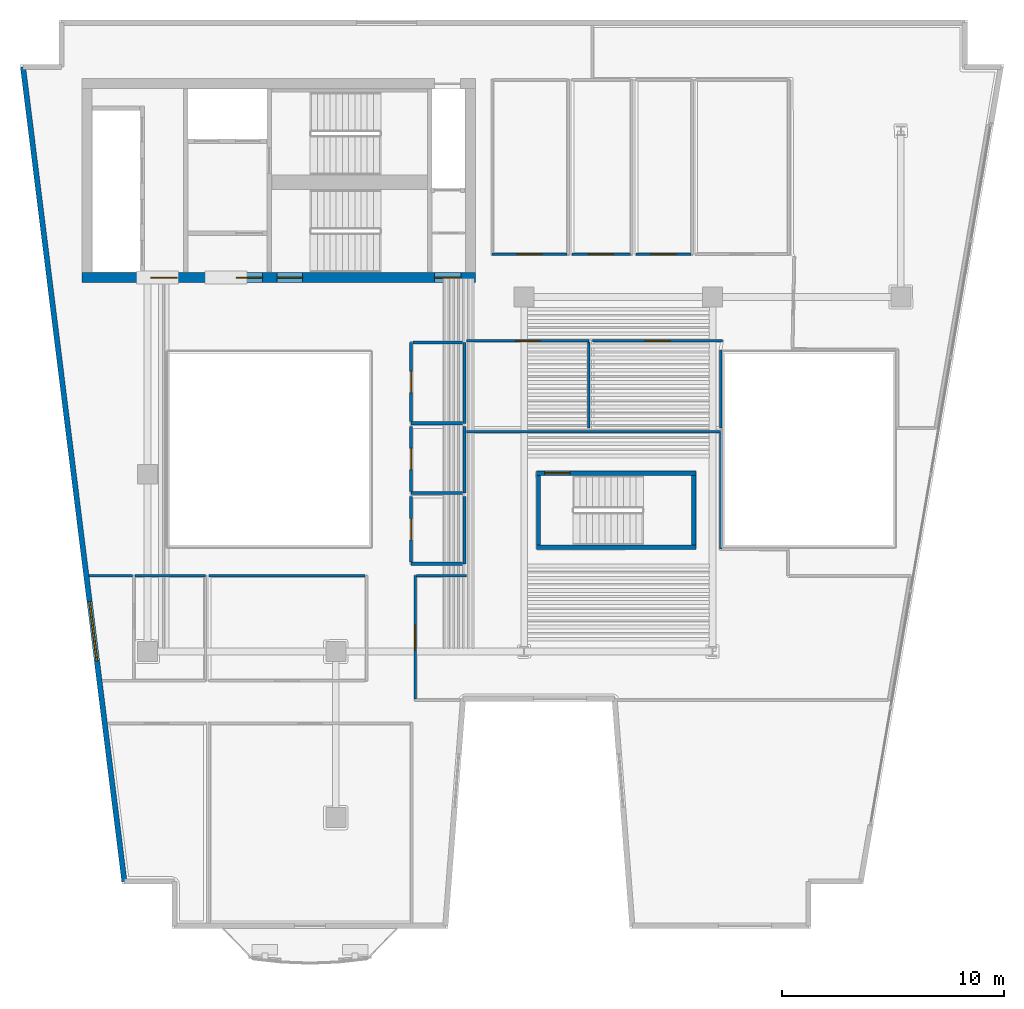
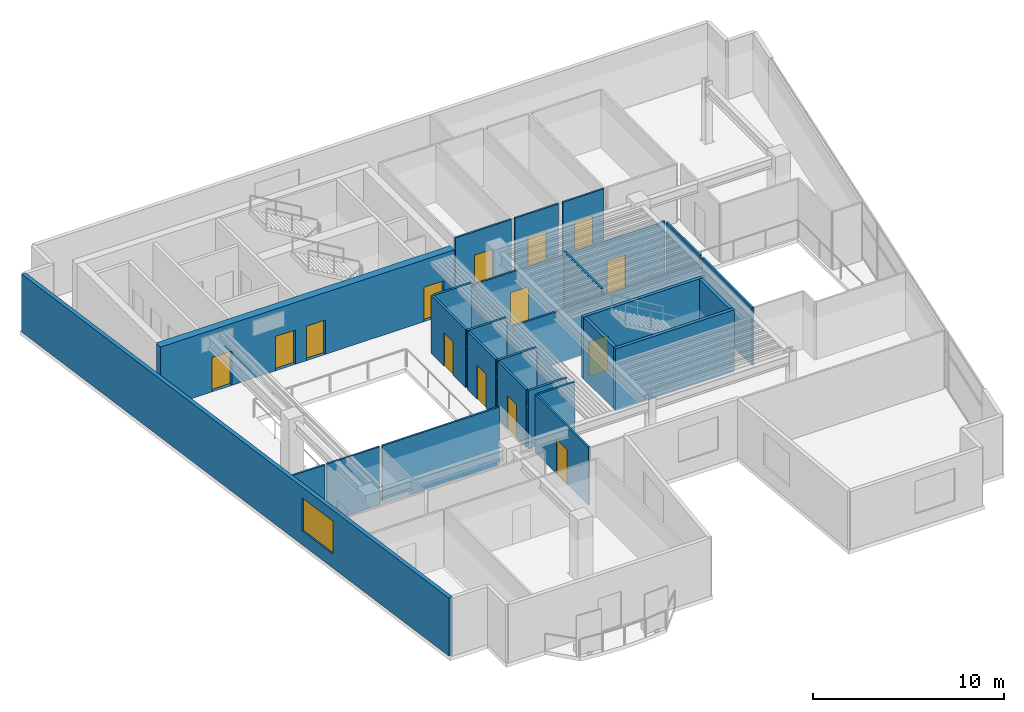
# One storey, part 4 of 9: 30 walls, 14 doors, 1 window, 15 openings.
"""IFC4 building model written with IfcOpenShell, lengths in metres."""

import ifcopenshell
import ifcopenshell.guid

model = None  # the IFC model being written
_history = None  # IfcOwnerHistory: only IFC2X3 demands one
_inside = {}  # id of a spatial element -> (the spatial element, [elements in it])
_under = {}  # id of a project, library or spatial element -> (it, [spatial elements below it])
_declared = {}  # id of a project -> (the project, [libraries it declares])
_typed = {}  # id of a type object -> (the type object, [elements of that type])
_made_of = {}  # id of a material, layer set ... -> (it, [elements and type objects made of it])


def new_model(schema):
    """Start an empty IFC model of exactly this schema.

    Asked for "IFC4X3", IfcOpenShell would pick the latest addendum, in which some entities
    have other attributes; the version numbers below select the first issue.
    IFC2X3 requires an IfcOwnerHistory on every rooted entity: one is made here for all.
    """
    global model, _history
    if schema == "IFC4X3":
        model = ifcopenshell.file(schema_version=(4, 3, 0, 0))
    else:
        model = ifcopenshell.file(schema=schema)
    _inside.clear()
    _under.clear()
    _declared.clear()
    _typed.clear()
    _made_of.clear()
    _history = None
    if model.schema == "IFC2X3":
        org = make("IfcOrganization", Name="unknown")
        user = make(
            "IfcPersonAndOrganization",
            ThePerson=make("IfcPerson", FamilyName="unknown"),
            TheOrganization=org,
        )
        app = make(
            "IfcApplication",
            ApplicationDeveloper=org,
            Version="unknown",
            ApplicationFullName="unknown",
            ApplicationIdentifier="unknown",
        )
        _history = make(
            "IfcOwnerHistory",
            OwningUser=user,
            OwningApplication=app,
            ChangeAction="ADDED",
            CreationDate=0,
        )
    return model


def make(cls, **values):
    """One entity of the class cls with the attributes given. An attribute that is None is left unset."""
    return model.create_entity(
        cls, **{name: value for name, value in values.items() if value is not None}
    )


def rooted(cls, **values):
    """An entity with a GlobalId (a new one), such as an element, a storey or a relation."""
    return make(cls, GlobalId=ifcopenshell.guid.new(), OwnerHistory=_history, **values)


def si_unit(unit_type, name, prefix=None):
    """IfcSIUnit, for example si_unit("LENGTHUNIT", "METRE", prefix="MILLI")."""
    return make("IfcSIUnit", UnitType=unit_type, Prefix=prefix, Name=name)


def assignment(units):
    """IfcUnitAssignment: the units of a project."""
    return None if units is None else make("IfcUnitAssignment", Units=units)


def point(xyz):
    """IfcCartesianPoint."""
    return None if xyz is None else make("IfcCartesianPoint", Coordinates=xyz)


def direction(xyz):
    """IfcDirection."""
    return None if xyz is None else make("IfcDirection", DirectionRatios=xyz)


def frame(location, z_axis=None, x_axis=None):
    """IfcAxis2Placement3D, a coordinate frame: its origin and axes. An axis left out is left unset."""
    return make(
        "IfcAxis2Placement3D",
        Location=point(location),
        Axis=direction(z_axis),
        RefDirection=direction(x_axis),
    )


def frame_2d(location, x_axis=None):
    """IfcAxis2Placement2D, a coordinate frame in the plane: its origin and x axis."""
    return make(
        "IfcAxis2Placement2D", Location=point(location), RefDirection=direction(x_axis)
    )


def origin():
    """The frame at (0, 0, 0) with its axes left unset."""
    return frame((0.0, 0.0, 0.0))


def place(relative_to, where):
    """IfcLocalPlacement: puts the frame where relative to a parent placement (None: the world)."""
    return make(
        "IfcLocalPlacement", PlacementRelTo=relative_to, RelativePlacement=where
    )


def context(
    kind, dimensions, precision=None, world=None, true_north=None, identifier=None
):
    """IfcGeometricRepresentationContext, for example the 3D "Model" context."""
    return make(
        "IfcGeometricRepresentationContext",
        ContextIdentifier=identifier,
        ContextType=kind,
        CoordinateSpaceDimension=dimensions,
        Precision=precision,
        WorldCoordinateSystem=world,
        TrueNorth=true_north,
    )


def subcontext(parent, identifier, kind, view, scale=None):
    """IfcGeometricRepresentationSubContext, for example "Body" below "Model"."""
    return make(
        "IfcGeometricRepresentationSubContext",
        ContextIdentifier=identifier,
        ContextType=kind,
        ParentContext=parent,
        TargetScale=scale,
        TargetView=view,
    )


def project(units=None, contexts=None):
    """IfcProject with its units and contexts."""
    return rooted(
        "IfcProject",
        Name="project",
        RepresentationContexts=contexts,
        UnitsInContext=assignment(units),
    )


def spatial(cls, under=None, at=None, **own):
    """A site, building, storey or space (cls), placed at a placement, below another one or the project."""
    s = rooted(cls, ObjectPlacement=at, **own)
    if under is not None:
        _under.setdefault(under.id(), (under, []))[1].append(s)
    return s


def profile(cls, at=None, kind="AREA", **sizes):
    """A parametric profile (cls). Its sizes go by their IFC names, for example OverallWidth=200.0."""
    return make(cls, ProfileType=kind, Position=at, **sizes)


def rectangle(**sizes):
    """IfcRectangleProfileDef."""
    return profile("IfcRectangleProfileDef", **sizes)


def extrude(swept, where, along, depth):
    """IfcExtrudedAreaSolid: the profile swept, set in the frame where, extruded along a direction by depth."""
    return make(
        "IfcExtrudedAreaSolid",
        SweptArea=swept,
        Position=where,
        ExtrudedDirection=direction(along),
        Depth=depth,
    )


def shape(context_of_items, identifier, shape_type, items):
    """IfcShapeRepresentation: the items that make up one representation, for example the "Body"."""
    return make(
        "IfcShapeRepresentation",
        ContextOfItems=context_of_items,
        RepresentationIdentifier=identifier,
        RepresentationType=shape_type,
        Items=items,
    )


def material(Name=None, Category=None):
    """IfcMaterial."""
    return make("IfcMaterial", Name=Name, Category=Category)


def layer(
    of_material, thickness, ventilated=None, Name=None, Category=None, Priority=None
):
    """IfcMaterialLayer: one layer of a wall or slab, of a material (None: an air gap)."""
    return make(
        "IfcMaterialLayer",
        Material=of_material,
        LayerThickness=thickness,
        IsVentilated=ventilated,
        Name=Name,
        Category=Category,
        Priority=Priority,
    )


def layer_set(layers, Name=None):
    """IfcMaterialLayerSet."""
    return make("IfcMaterialLayerSet", MaterialLayers=layers, LayerSetName=Name)


def made_of(thing, what):
    """Note that an element or type object is made of a material, layer set ...; save() writes the relation."""
    if what is not None:
        _made_of.setdefault(what.id(), (what, []))[1].append(thing)
    return thing


def type_object(cls, material=None, **own):
    """A type object (cls), such as IfcWallType, which elements share."""
    return made_of(rooted(cls, **own), material)


def element(
    cls,
    number,
    at=None,
    inside=None,
    cuts=None,
    type_object=None,
    material=None,
    context=None,
    identifier="Body",
    shape_type=None,
    held_by="IfcProductDefinitionShape",
    body=None,
    shapes=None,
    **own,
):
    """One element of the class cls, such as IfcWall. Its Tag is "e" and its number.

    at: its placement. inside: the storey or other place that contains it. cuts: it is an
    opening in that element (IfcRelVoidsElement). A single representation is given by context,
    identifier, shape_type and body (its items); several are given by shapes. held_by: the class
    of the entity that holds the representations. save() writes the other relations.
    """
    e = rooted(cls, Tag="e%d" % number, ObjectPlacement=at, **own)
    if body is not None:
        shapes = [shape(context, identifier, shape_type, body)]
    if shapes is not None:
        e.Representation = make(held_by, Representations=shapes)
    if inside is not None:
        _inside.setdefault(inside.id(), (inside, []))[1].append(e)
    if cuts is not None:
        rooted(
            "IfcRelVoidsElement", RelatingBuildingElement=cuts, RelatedOpeningElement=e
        )
    if type_object is not None:
        _typed.setdefault(type_object.id(), (type_object, []))[1].append(e)
    return made_of(e, material)


def fill(opening, filler):
    """IfcRelFillsElement: the door or window that sits in an opening."""
    return rooted(
        "IfcRelFillsElement",
        RelatingOpeningElement=opening,
        RelatedBuildingElement=filler,
    )


def aggregate(whole, parts):
    """IfcRelAggregates: a whole, such as a stair, and the parts it consists of."""
    return rooted("IfcRelAggregates", RelatingObject=whole, RelatedObjects=parts)


def save(model, path):
    """Write the relations noted so far, then the file.

    IfcRelAggregates (storeys below a building ...), IfcRelContainedInSpatialStructure (elements
    in a storey), IfcRelDefinesByType, IfcRelAssociatesMaterial and IfcRelDeclares: one each for
    every whole, place, type object, material and project.
    """
    for whole, parts in _under.values():
        aggregate(whole, parts)
    for where, things in _inside.values():
        rooted(
            "IfcRelContainedInSpatialStructure",
            RelatedElements=things,
            RelatingStructure=where,
        )
    for kind, things in _typed.values():
        rooted("IfcRelDefinesByType", RelatedObjects=things, RelatingType=kind)
    for what, things in _made_of.values():
        rooted("IfcRelAssociatesMaterial", RelatedObjects=things, RelatingMaterial=what)
    for by, libraries in _declared.values():
        rooted("IfcRelDeclares", RelatingContext=by, RelatedDefinitions=libraries)
    model.write(path)


model = new_model("IFC4")

# Units and contexts
model_context = context("Model", 3, precision=1e-05, world=origin(), true_north=direction((0.0, 1.0)))
body_context = subcontext(model_context, "Body", "Model", "MODEL_VIEW")
ifc_project = project(units=[si_unit("LENGTHUNIT", "METRE"), si_unit("AREAUNIT", "SQUARE_METRE"), si_unit("VOLUMEUNIT", "CUBIC_METRE"), si_unit("PLANEANGLEUNIT", "RADIAN"), si_unit("MASSUNIT", "GRAM", prefix="KILO")], contexts=[model_context])

# Site, building, storey
site_placement = place(None, origin())
site = spatial("IfcSite", under=ifc_project, at=site_placement, CompositionType="ELEMENT")
building_placement = place(site_placement, origin())
building = spatial("IfcBuilding", under=site, at=building_placement, Name="Caeloran Harvest Quay", CompositionType="ELEMENT")
storey_placement = place(building_placement, frame((0.0, 0.0, 211.39990234375)))
storey = spatial("IfcBuildingStorey", under=building, at=storey_placement, Name="L50", CompositionType="ELEMENT", Elevation=211.39990234375)

# Wall, opening, window
ifc_material_1 = material(Name="Precast concrete C50/60", Category="concrete")
ifc_layer_1 = layer(ifc_material_1, 0.239990234375, Name="Precast concrete C50/60")
ifc_layer_set_1 = layer_set([ifc_layer_1], Name="Precast concrete C50/60")
wall_type_1 = type_object("IfcWallType", Name="ENV-WALL-EW-240", PredefinedType="STANDARD", material=ifc_layer_set_1)
wall_1_placement = place(storey_placement, frame((7.460205078125, 4.6201171875, 0.0), z_axis=(0.0, 0.0, 1.0), x_axis=(-0.123515576323, 0.992342633573, 0.0)))
wall_1 = element("IfcWall", 1, at=wall_1_placement, inside=storey, type_object=wall_type_1, Name="L50 Exterior Precast Concrete Facade Wall 3", PredefinedType="STANDARD", context=body_context, shape_type="SweptSolid", body=[
    extrude(rectangle(XDim=37.04345703125, YDim=0.239990234375, at=frame_2d((18.521728515625, 0.0))), origin(), (0.0, 0.0, 1.0), 3.7001953125),
])
opening_1_placement = place(wall_1_placement, frame((10.0322265625, 0.0, 0.89990234375)))
opening_1 = element("IfcOpeningElement", 2, at=opening_1_placement, cuts=wall_1, Name="Opening W-07", PredefinedType="OPENING", context=body_context, shape_type="SweptSolid", body=[
    extrude(rectangle(XDim=2.699951171875, YDim=2.10009765625, at=frame_2d((1.35009765625, 1.050048828125))), frame((0.0, 0.1298828125, 0.0), z_axis=(0.0, -1.0, 0.0), x_axis=(1.0, 0.0, 0.0)), (0.0, 0.0, 1.0), 0.260009765625),
])
ifc_material_2 = material(Name="Aluminium-Framed Low-E Laminated Glass", Category="aluminium")
window_type = type_object("IfcWindowType", Name="WIN-W-07", PartitioningType="DOUBLE_PANEL_VERTICAL", PredefinedType="WINDOW", material=ifc_material_2)
window_placement = place(opening_1_placement, origin())
window = element("IfcWindow", 3, at=window_placement, inside=storey, type_object=window_type, Name="L50 Facade Punched Window W-07", OverallHeight=2.10009765625, OverallWidth=2.699951171875, PartitioningType="DOUBLE_PANEL_VERTICAL", PredefinedType="WINDOW", context=body_context, shape_type="SweptSolid", body=[
    extrude(rectangle(XDim=2.699951171875, YDim=2.10009765625, at=frame_2d((1.35009765625, 1.050048828125))), frame((0.0, 0.030029296875, 0.0), z_axis=(0.0, -1.0, 0.0), x_axis=(1.0, 0.0, 0.0)), (0.0, 0.0, 1.0), 0.06005859375),
])
fill(opening_1, window)

# Wall, opening, door
ifc_material_3 = material(Name="Single-Stud Acoustic Gypsum Office Partition", Category="gypsum")
ifc_layer_2 = layer(ifc_material_3, 0.112060546875, Name="Single-Stud Acoustic Gypsum Office Partition")
ifc_layer_set_2 = layer_set([ifc_layer_2], Name="Single-Stud Acoustic Gypsum Office Partition")
wall_type_2 = type_object("IfcWallType", Name="INT-WALL-PW-112", PredefinedType="PARTITIONING", material=ifc_layer_set_2)
wall_2_placement = place(storey_placement, frame((27.43896484375, 32.919921875, 0.0), z_axis=(0.0, 0.0, 1.0), x_axis=(-1.0, 0.0, 0.0)))
wall_2 = element("IfcWall", 4, at=wall_2_placement, inside=storey, type_object=wall_type_2, Name="L50 Bioinformatics Briefing Lounge Partition Wall", PredefinedType="PARTITIONING", context=body_context, shape_type="SweptSolid", body=[
    extrude(rectangle(XDim=3.388916015625, YDim=0.112060546875, at=frame_2d((1.6943359375, 0.0))), origin(), (0.0, 0.0, 1.0), 3.7001953125),
])
opening_2_placement = place(wall_2_placement, frame((1.14453125, 0.0, 0.0)))
opening_2 = element("IfcOpeningElement", 5, at=opening_2_placement, cuts=wall_2, Name="Opening ID-04", PredefinedType="OPENING", context=body_context, shape_type="SweptSolid", body=[
    extrude(rectangle(XDim=1.10009765625, YDim=2.199951171875, at=frame_2d((0.550048828125, 1.10009765625))), frame((0.0, 0.06591796875, 0.0), z_axis=(0.0, -1.0, 0.0), x_axis=(1.0, 0.0, 0.0)), (0.0, 0.0, 1.0), 0.132080078125),
])
ifc_material_4 = material(Name="Acoustic Walnut Veneer Executive Door", Category="wood")
door_type_1 = type_object("IfcDoorType", Name="INTDOOR-ID-04", OperationType="NOTDEFINED", PredefinedType="DOOR", material=ifc_material_4)
door_1_placement = place(opening_2_placement, origin())
door_1 = element("IfcDoor", 6, at=door_1_placement, inside=storey, type_object=door_type_1, Name="L50 Bioinformatics Briefing Lounge Access Door", OperationType="SINGLE_SWING_LEFT", OverallHeight=2.199951171875, OverallWidth=1.10009765625, PredefinedType="DOOR", context=body_context, shape_type="SweptSolid", body=[
    extrude(rectangle(XDim=1.10009765625, YDim=2.199951171875, at=frame_2d((0.550048828125, 1.10009765625))), frame((0.0, 0.02490234375, 0.0), z_axis=(0.0, -1.0, 0.0), x_axis=(1.0, 0.0, 0.0)), (0.0, 0.0, 1.0), 0.050048828125),
])
fill(opening_2, door_1)

wall_3_placement = place(storey_placement, frame((30.2890625, 32.919921875, 0.0), z_axis=(0.0, 0.0, 1.0), x_axis=(-1.0, 0.0, 0.0)))
wall_3 = element("IfcWall", 7, at=wall_3_placement, inside=storey, type_object=wall_type_2, Name="L50 Seed Imaging Laboratory Partition Wall", PredefinedType="PARTITIONING", context=body_context, shape_type="SweptSolid", body=[
    extrude(rectangle(XDim=2.629150390625, YDim=0.112060546875, at=frame_2d((1.314453125, 0.0))), origin(), (0.0, 0.0, 1.0), 3.7001953125),
])
opening_3_placement = place(wall_3_placement, frame((0.764404296875, 0.0, 0.0)))
opening_3 = element("IfcOpeningElement", 8, at=opening_3_placement, cuts=wall_3, Name="Opening ID-04", PredefinedType="OPENING", context=body_context, shape_type="SweptSolid", body=[
    extrude(rectangle(XDim=1.10009765625, YDim=2.199951171875, at=frame_2d((0.550048828125, 1.10009765625))), frame((0.0, 0.06591796875, 0.0), z_axis=(0.0, -1.0, 0.0), x_axis=(1.0, 0.0, 0.0)), (0.0, 0.0, 1.0), 0.132080078125),
])
door_2_placement = place(opening_3_placement, origin())
door_2 = element("IfcDoor", 9, at=door_2_placement, inside=storey, type_object=door_type_1, Name="L50 Seed Imaging Laboratory Access Door", OperationType="SINGLE_SWING_RIGHT", OverallHeight=2.199951171875, OverallWidth=1.10009765625, PredefinedType="DOOR", context=body_context, shape_type="SweptSolid", body=[
    extrude(rectangle(XDim=1.10009765625, YDim=2.199951171875, at=frame_2d((0.550048828125, 1.10009765625))), frame((0.0, 0.02490234375, 0.0), z_axis=(0.0, -1.0, 0.0), x_axis=(1.0, 0.0, 0.0)), (0.0, 0.0, 1.0), 0.050048828125),
])
fill(opening_3, door_2)

wall_4_placement = place(storey_placement, frame((33.029052734375, 32.919921875, 0.0), z_axis=(0.0, 0.0, 1.0), x_axis=(-1.0, 0.0, 0.0)))
wall_4 = element("IfcWall", 10, at=wall_4_placement, inside=storey, type_object=wall_type_2, Name="L50 Genomics Seminar West Room Partition Wall", PredefinedType="PARTITIONING", context=body_context, shape_type="SweptSolid", body=[
    extrude(rectangle(XDim=2.47900390625, YDim=0.112060546875, at=frame_2d((1.239501953125, 0.0))), origin(), (0.0, 0.0, 1.0), 3.7001953125),
])
opening_4_placement = place(wall_4_placement, frame((0.689453125, 0.0, 0.0)))
opening_4 = element("IfcOpeningElement", 11, at=opening_4_placement, cuts=wall_4, Name="Opening ID-04", PredefinedType="OPENING", context=body_context, shape_type="SweptSolid", body=[
    extrude(rectangle(XDim=1.10009765625, YDim=2.199951171875, at=frame_2d((0.550048828125, 1.10009765625))), frame((0.0, 0.06591796875, 0.0), z_axis=(0.0, -1.0, 0.0), x_axis=(1.0, 0.0, 0.0)), (0.0, 0.0, 1.0), 0.132080078125),
])
door_3_placement = place(opening_4_placement, origin())
door_3 = element("IfcDoor", 12, at=door_3_placement, inside=storey, type_object=door_type_1, Name="L50 Genomics Seminar West Room Access Door", OperationType="SINGLE_SWING_LEFT", OverallHeight=2.199951171875, OverallWidth=1.10009765625, PredefinedType="DOOR", context=body_context, shape_type="SweptSolid", body=[
    extrude(rectangle(XDim=1.10009765625, YDim=2.199951171875, at=frame_2d((0.550048828125, 1.10009765625))), frame((0.0, 0.02490234375, 0.0), z_axis=(0.0, -1.0, 0.0), x_axis=(1.0, 0.0, 0.0)), (0.0, 0.0, 1.0), 0.050048828125),
])
fill(opening_4, door_3)

# Walls
wall_5_placement = place(storey_placement, frame((5.868408203125, 18.419921875, 0.0), z_axis=(0.0, 0.0, 1.0), x_axis=(1.0, 0.0, 0.0)))
element("IfcWall", 13, at=wall_5_placement, inside=storey, type_object=wall_type_2, Name="Econometric Wet Laboratory Partition Wall", PredefinedType="PARTITIONING", context=body_context, shape_type="SweptSolid", body=[
    extrude(rectangle(XDim=1.95068359375, YDim=0.112060546875, at=frame_2d((0.975341796875, 0.0))), origin(), (0.0, 0.0, 1.0), 3.7001953125),
])
wall_6_placement = place(storey_placement, frame((7.94091796875, 18.419921875, 0.0), z_axis=(0.0, 0.0, 1.0), x_axis=(1.0, 0.0, 0.0)))
element("IfcWall", 14, at=wall_6_placement, inside=storey, type_object=wall_type_2, Name="Econometric Wet Laboratory Partition Wall", PredefinedType="PARTITIONING", context=body_context, shape_type="SweptSolid", body=[
    extrude(rectangle(XDim=3.17919921875, YDim=0.112060546875, at=frame_2d((1.589599609375, 0.0))), origin(), (0.0, 0.0, 1.0), 3.7001953125),
])
wall_7_placement = place(storey_placement, frame((11.280029296875, 18.419921875, 0.0), z_axis=(0.0, 0.0, 1.0), x_axis=(1.0, 0.0, 0.0)))
element("IfcWall", 15, at=wall_7_placement, inside=storey, type_object=wall_type_2, Name="Fellows Tasting Kitchen Partition Wall", PredefinedType="PARTITIONING", context=body_context, shape_type="SweptSolid", body=[
    extrude(rectangle(XDim=7.049072265625, YDim=0.112060546875, at=frame_2d((3.5244140625, 0.0))), origin(), (0.0, 0.0, 1.0), 3.7001953125),
])

# Wall, opening, door
wall_8_placement = place(storey_placement, frame((20.580078125, 12.861083984375, 0.0), z_axis=(0.0, 0.0, 1.0), x_axis=(0.0, 1.0, 0.0)))
wall_8 = element("IfcWall", 16, at=wall_8_placement, inside=storey, type_object=wall_type_2, Name="Roundtable Conference Room Partition Wall", PredefinedType="PARTITIONING", context=body_context, shape_type="SweptSolid", body=[
    extrude(rectangle(XDim=5.558837890625, YDim=0.112060546875, at=frame_2d((2.779296875, 0.0))), origin(), (0.0, 0.0, 1.0), 3.7001953125),
])
opening_5_placement = place(wall_8_placement, frame((2.2294921875, 0.0, 0.0)))
opening_5 = element("IfcOpeningElement", 17, at=opening_5_placement, cuts=wall_8, Name="Opening ID-04", PredefinedType="OPENING", context=body_context, shape_type="SweptSolid", body=[
    extrude(rectangle(XDim=1.10009765625, YDim=2.199951171875, at=frame_2d((0.550048828125, 1.10009765625))), frame((0.0, 0.06591796875, 0.0), z_axis=(0.0, -1.0, 0.0), x_axis=(1.0, 0.0, 0.0)), (0.0, 0.0, 1.0), 0.132080078125),
])
door_4_placement = place(opening_5_placement, origin())
door_4 = element("IfcDoor", 18, at=door_4_placement, inside=storey, type_object=door_type_1, Name="Roundtable Conference Room Access Door", OperationType="SINGLE_SWING_RIGHT", OverallHeight=2.199951171875, OverallWidth=1.10009765625, PredefinedType="DOOR", context=body_context, shape_type="SweptSolid", body=[
    extrude(rectangle(XDim=1.10009765625, YDim=2.199951171875, at=frame_2d((0.550048828125, 1.10009765625))), frame((0.0, 0.02490234375, 0.0), z_axis=(0.0, -1.0, 0.0), x_axis=(1.0, 0.0, 0.0)), (0.0, 0.0, 1.0), 0.050048828125),
])
fill(opening_5, door_4)

# Walls
wall_9_placement = place(storey_placement, frame((20.64111328125, 18.419921875, 0.0), z_axis=(0.0, 0.0, 1.0), x_axis=(1.0, 0.0, 0.0)))
element("IfcWall", 19, at=wall_9_placement, inside=storey, type_object=wall_type_2, Name="Roundtable Conference Room Partition Wall", PredefinedType="PARTITIONING", context=body_context, shape_type="SweptSolid", body=[
    extrude(rectangle(XDim=2.248779296875, YDim=0.112060546875, at=frame_2d((1.12451171875, 0.0))), origin(), (0.0, 0.0, 1.0), 3.7001953125),
])
wall_10_placement = place(storey_placement, frame((22.909912109375, 24.919921875, 0.0), z_axis=(0.0, 0.0, 1.0), x_axis=(1.0, 0.0, 0.0)))
element("IfcWall", 20, at=wall_10_placement, inside=storey, type_object=wall_type_2, Name="Roundtable Conference Room Partition Wall", PredefinedType="PARTITIONING", context=body_context, shape_type="SweptSolid", body=[
    extrude(rectangle(XDim=11.460205078125, YDim=0.112060546875, at=frame_2d((5.72998046875, 0.0))), origin(), (0.0, 0.0, 1.0), 3.3251953125),
])
wall_11_placement = place(storey_placement, frame((34.3701171875, 24.85888671875, 0.0), z_axis=(0.0, 0.0, 1.0), x_axis=(0.0, -1.0, 0.0)))
element("IfcWall", 21, at=wall_11_placement, inside=storey, type_object=wall_type_2, Name="Roundtable Conference Room Partition Wall", PredefinedType="PARTITIONING", context=body_context, shape_type="SweptSolid", body=[
    extrude(rectangle(XDim=5.23876953125, YDim=0.112060546875, at=frame_2d((2.619384765625, 0.0))), origin(), (0.0, 0.0, 1.0), 3.7001953125),
])

# Wall, opening, door
wall_12_placement = place(storey_placement, frame((22.909912109375, 29.02001953125, 0.0), z_axis=(0.0, 0.0, 1.0), x_axis=(1.0, 0.0, 0.0)))
wall_12 = element("IfcWall", 22, at=wall_12_placement, inside=storey, type_object=wall_type_2, Name="Harbour Tea Kitchen Partition Wall", PredefinedType="PARTITIONING", context=body_context, shape_type="SweptSolid", body=[
    extrude(rectangle(XDim=5.510009765625, YDim=0.112060546875, at=frame_2d((2.7548828125, 0.0))), origin(), (0.0, 0.0, 1.0), 3.485107421875),
])
opening_6_placement = place(wall_12_placement, frame((2.205078125, 0.0, 0.0)))
opening_6 = element("IfcOpeningElement", 23, at=opening_6_placement, cuts=wall_12, Name="Opening ID-04", PredefinedType="OPENING", context=body_context, shape_type="SweptSolid", body=[
    extrude(rectangle(XDim=1.10009765625, YDim=2.199951171875, at=frame_2d((0.550048828125, 1.10009765625))), frame((0.0, 0.06591796875, 0.0), z_axis=(0.0, -1.0, 0.0), x_axis=(1.0, 0.0, 0.0)), (0.0, 0.0, 1.0), 0.132080078125),
])
door_5_placement = place(opening_6_placement, origin())
door_5 = element("IfcDoor", 24, at=door_5_placement, inside=storey, type_object=door_type_1, Name="Harbour Tea Kitchen Access Door", OperationType="SINGLE_SWING_LEFT", OverallHeight=2.199951171875, OverallWidth=1.10009765625, PredefinedType="DOOR", context=body_context, shape_type="SweptSolid", body=[
    extrude(rectangle(XDim=1.10009765625, YDim=2.199951171875, at=frame_2d((0.550048828125, 1.10009765625))), frame((0.0, 0.02490234375, 0.0), z_axis=(0.0, -1.0, 0.0), x_axis=(1.0, 0.0, 0.0)), (0.0, 0.0, 1.0), 0.050048828125),
])
fill(opening_6, door_5)

# Walls
wall_13_placement = place(storey_placement, frame((28.419921875, 28.958984375, 0.0), z_axis=(0.0, 0.0, 1.0), x_axis=(0.0, -1.0, 0.0)))
element("IfcWall", 25, at=wall_13_placement, inside=storey, type_object=wall_type_2, Name="Harbour Tea Kitchen Partition Wall", PredefinedType="PARTITIONING", context=body_context, shape_type="SweptSolid", body=[
    extrude(rectangle(XDim=3.87890625, YDim=0.112060546875, at=frame_2d((1.939453125, 0.0))), origin(), (0.0, 0.0, 1.0), 3.7001953125),
])
wall_14_placement = place(storey_placement, frame((34.3701171875, 28.60009765625, 0.0), z_axis=(0.0, 0.0, 1.0), x_axis=(0.0, -1.0, 0.0)))
element("IfcWall", 26, at=wall_14_placement, inside=storey, type_object=wall_type_2, Name="Food-Security Culinary Kitchen 7 Partition Wall", PredefinedType="PARTITIONING", context=body_context, shape_type="SweptSolid", body=[
    extrude(rectangle(XDim=3.52001953125, YDim=0.112060546875, at=frame_2d((1.760009765625, 0.0))), origin(), (0.0, 0.0, 1.0), 3.7001953125),
])

# Wall, opening, door
wall_15_placement = place(storey_placement, frame((28.580078125, 29.02001953125, 0.0), z_axis=(0.0, 0.0, 1.0), x_axis=(1.0, 0.0, 0.0)))
wall_15 = element("IfcWall", 27, at=wall_15_placement, inside=storey, type_object=wall_type_2, Name="Food-Security Culinary Kitchen 7 Partition Wall", PredefinedType="PARTITIONING", context=body_context, shape_type="SweptSolid", body=[
    extrude(rectangle(XDim=5.871826171875, YDim=0.112060546875, at=frame_2d((2.93603515625, 0.0))), origin(), (0.0, 0.0, 1.0), 3.485107421875),
])
opening_7_placement = place(wall_15_placement, frame((2.385986328125, 0.0, 0.0)))
opening_7 = element("IfcOpeningElement", 28, at=opening_7_placement, cuts=wall_15, Name="Opening ID-04", PredefinedType="OPENING", context=body_context, shape_type="SweptSolid", body=[
    extrude(rectangle(XDim=1.10009765625, YDim=2.199951171875, at=frame_2d((0.550048828125, 1.10009765625))), frame((0.0, 0.06591796875, 0.0), z_axis=(0.0, -1.0, 0.0), x_axis=(1.0, 0.0, 0.0)), (0.0, 0.0, 1.0), 0.132080078125),
])
door_6_placement = place(opening_7_placement, origin())
door_6 = element("IfcDoor", 29, at=door_6_placement, inside=storey, type_object=door_type_1, Name="Food-Security Culinary Kitchen 7 Access Door", OperationType="SINGLE_SWING_RIGHT", OverallHeight=2.199951171875, OverallWidth=1.10009765625, PredefinedType="DOOR", context=body_context, shape_type="SweptSolid", body=[
    extrude(rectangle(XDim=1.10009765625, YDim=2.199951171875, at=frame_2d((0.550048828125, 1.10009765625))), frame((0.0, 0.02490234375, 0.0), z_axis=(0.0, -1.0, 0.0), x_axis=(1.0, 0.0, 0.0)), (0.0, 0.0, 1.0), 0.050048828125),
])
fill(opening_7, door_6)

# Walls
ifc_material_5 = material(Name="Moisture-Resistant Cement-Board Sanitary Partition", Category="gypsum")
ifc_layer_3 = layer(ifc_material_5, 0.139892578125, Name="Moisture-Resistant Cement-Board Sanitary Partition")
ifc_layer_set_3 = layer_set([ifc_layer_3], Name="Moisture-Resistant Cement-Board Sanitary Partition")
wall_type_3 = type_object("IfcWallType", Name="INT-WALL-PW-140", PredefinedType="PARTITIONING", material=ifc_layer_set_3)
wall_16_placement = place(storey_placement, frame((22.800048828125, 28.949951171875, 0.0), z_axis=(0.0, 0.0, 1.0), x_axis=(0.0, -1.0, 0.0)))
element("IfcWall", 30, at=wall_16_placement, inside=storey, type_object=wall_type_3, Name="L50 Male Washroom WC Partition Wall", PredefinedType="PARTITIONING", context=body_context, shape_type="SweptSolid", body=[
    extrude(rectangle(XDim=3.64990234375, YDim=0.139892578125, at=frame_2d((1.824951171875, 0.0))), origin(), (0.0, 0.0, 1.0), 3.3251953125),
])
wall_17_placement = place(storey_placement, frame((22.72509765625, 25.300048828125, 0.0), z_axis=(0.0, 0.0, 1.0), x_axis=(-1.0, 0.0, 0.0)))
element("IfcWall", 31, at=wall_17_placement, inside=storey, type_object=wall_type_3, Name="L50 Male Washroom WC Partition Wall", PredefinedType="PARTITIONING", context=body_context, shape_type="SweptSolid", body=[
    extrude(rectangle(XDim=2.3251953125, YDim=0.139892578125, at=frame_2d((1.16259765625, 0.0))), origin(), (0.0, 0.0, 1.0), 3.7001953125),
])

# Wall, opening, door
wall_18_placement = place(storey_placement, frame((20.39990234375, 25.375, 0.0), z_axis=(0.0, 0.0, 1.0), x_axis=(0.0, 1.0, 0.0)))
wall_18 = element("IfcWall", 32, at=wall_18_placement, inside=storey, type_object=wall_type_3, Name="L50 Male Washroom WC Partition Wall", PredefinedType="PARTITIONING", context=body_context, shape_type="SweptSolid", body=[
    extrude(rectangle(XDim=3.574951171875, YDim=0.139892578125, at=frame_2d((1.78759765625, 0.0))), origin(), (0.0, 0.0, 1.0), 3.7001953125),
])
opening_8_placement = place(wall_18_placement, frame((1.3125, 0.0, 0.0)))
opening_8 = element("IfcOpeningElement", 33, at=opening_8_placement, cuts=wall_18, Name="Opening WC-01", PredefinedType="OPENING", context=body_context, shape_type="SweptSolid", body=[
    extrude(rectangle(XDim=0.949951171875, YDim=2.14990234375, at=frame_2d((0.47509765625, 1.074951171875))), frame((0.0, 0.080078125, 0.0), z_axis=(0.0, -1.0, 0.0), x_axis=(1.0, 0.0, 0.0)), (0.0, 0.0, 1.0), 0.159912109375),
])
ifc_material_6 = material(Name="High-Pressure Laminate Moisture-Resistant Timber", Category="wood")
door_type_2 = type_object("IfcDoorType", Name="INTDOOR-WC-01", OperationType="NOTDEFINED", PredefinedType="DOOR", material=ifc_material_6)
door_7_placement = place(opening_8_placement, origin())
door_7 = element("IfcDoor", 34, at=door_7_placement, inside=storey, type_object=door_type_2, Name="L50 Male Washroom WC Access Door", OperationType="SINGLE_SWING_LEFT", OverallHeight=2.14990234375, OverallWidth=0.949951171875, PredefinedType="DOOR", context=body_context, shape_type="SweptSolid", body=[
    extrude(rectangle(XDim=0.949951171875, YDim=2.14990234375, at=frame_2d((0.47509765625, 1.074951171875))), frame((0.0, 0.02490234375, 0.0), z_axis=(0.0, -1.0, 0.0), x_axis=(1.0, 0.0, 0.0)), (0.0, 0.0, 1.0), 0.050048828125),
])
fill(opening_8, door_7)

# Walls
wall_19_placement = place(storey_placement, frame((20.47509765625, 28.949951171875, 0.0), z_axis=(0.0, 0.0, 1.0), x_axis=(1.0, 0.0, 0.0)))
element("IfcWall", 35, at=wall_19_placement, inside=storey, type_object=wall_type_3, Name="L50 Male Washroom WC Partition Wall", PredefinedType="PARTITIONING", context=body_context, shape_type="SweptSolid", body=[
    extrude(rectangle(XDim=2.25, YDim=0.139892578125, at=frame_2d((1.125, 0.0))), origin(), (0.0, 0.0, 1.0), 3.7001953125),
])
wall_20_placement = place(storey_placement, frame((22.800048828125, 25.14990234375, 0.0), z_axis=(0.0, 0.0, 1.0), x_axis=(0.0, -1.0, 0.0)))
element("IfcWall", 36, at=wall_20_placement, inside=storey, type_object=wall_type_3, Name="L50 Female Washroom WC Partition Wall", PredefinedType="PARTITIONING", context=body_context, shape_type="SweptSolid", body=[
    extrude(rectangle(XDim=3.0, YDim=0.139892578125, at=frame_2d((1.5, 0.0))), origin(), (0.0, 0.0, 1.0), 3.3251953125),
])
wall_21_placement = place(storey_placement, frame((22.72509765625, 22.14990234375, 0.0), z_axis=(0.0, 0.0, 1.0), x_axis=(-1.0, 0.0, 0.0)))
element("IfcWall", 37, at=wall_21_placement, inside=storey, type_object=wall_type_3, Name="L50 Female Washroom WC Partition Wall", PredefinedType="PARTITIONING", context=body_context, shape_type="SweptSolid", body=[
    extrude(rectangle(XDim=2.3251953125, YDim=0.139892578125, at=frame_2d((1.16259765625, 0.0))), origin(), (0.0, 0.0, 1.0), 3.7001953125),
])

# Wall, opening, door
wall_22_placement = place(storey_placement, frame((20.39990234375, 22.22509765625, 0.0), z_axis=(0.0, 0.0, 1.0), x_axis=(0.0, 1.0, 0.0)))
wall_22 = element("IfcWall", 38, at=wall_22_placement, inside=storey, type_object=wall_type_3, Name="L50 Female Washroom WC Partition Wall", PredefinedType="PARTITIONING", context=body_context, shape_type="SweptSolid", body=[
    extrude(rectangle(XDim=2.9248046875, YDim=0.139892578125, at=frame_2d((1.46240234375, 0.0))), origin(), (0.0, 0.0, 1.0), 3.7001953125),
])
opening_9_placement = place(wall_22_placement, frame((0.987548828125, 0.0, 0.0)))
opening_9 = element("IfcOpeningElement", 39, at=opening_9_placement, cuts=wall_22, Name="Opening WC-01", PredefinedType="OPENING", context=body_context, shape_type="SweptSolid", body=[
    extrude(rectangle(XDim=0.949951171875, YDim=2.14990234375, at=frame_2d((0.47509765625, 1.074951171875))), frame((0.0, 0.080078125, 0.0), z_axis=(0.0, -1.0, 0.0), x_axis=(1.0, 0.0, 0.0)), (0.0, 0.0, 1.0), 0.159912109375),
])
door_8_placement = place(opening_9_placement, origin())
door_8 = element("IfcDoor", 40, at=door_8_placement, inside=storey, type_object=door_type_2, Name="L50 Female Washroom WC Access Door", OperationType="SINGLE_SWING_RIGHT", OverallHeight=2.14990234375, OverallWidth=0.949951171875, PredefinedType="DOOR", context=body_context, shape_type="SweptSolid", body=[
    extrude(rectangle(XDim=0.949951171875, YDim=2.14990234375, at=frame_2d((0.47509765625, 1.074951171875))), frame((0.0, 0.02490234375, 0.0), z_axis=(0.0, -1.0, 0.0), x_axis=(1.0, 0.0, 0.0)), (0.0, 0.0, 1.0), 0.050048828125),
])
fill(opening_9, door_8)

# Walls
wall_23_placement = place(storey_placement, frame((22.800048828125, 22.0, 0.0), z_axis=(0.0, 0.0, 1.0), x_axis=(0.0, -1.0, 0.0)))
element("IfcWall", 41, at=wall_23_placement, inside=storey, type_object=wall_type_3, Name="L50 Accessible Unisex Washroom WC Partition Wall", PredefinedType="PARTITIONING", context=body_context, shape_type="SweptSolid", body=[
    extrude(rectangle(XDim=3.0400390625, YDim=0.139892578125, at=frame_2d((1.52001953125, 0.0))), origin(), (0.0, 0.0, 1.0), 3.3251953125),
])
wall_24_placement = place(storey_placement, frame((22.72509765625, 18.9599609375, 0.0), z_axis=(0.0, 0.0, 1.0), x_axis=(-1.0, 0.0, 0.0)))
element("IfcWall", 42, at=wall_24_placement, inside=storey, type_object=wall_type_3, Name="L50 Accessible Unisex Washroom WC Partition Wall", PredefinedType="PARTITIONING", context=body_context, shape_type="SweptSolid", body=[
    extrude(rectangle(XDim=2.3251953125, YDim=0.139892578125, at=frame_2d((1.16259765625, 0.0))), origin(), (0.0, 0.0, 1.0), 3.7001953125),
])

# Wall, opening, door
wall_25_placement = place(storey_placement, frame((20.39990234375, 19.034912109375, 0.0), z_axis=(0.0, 0.0, 1.0), x_axis=(0.0, 1.0, 0.0)))
wall_25 = element("IfcWall", 43, at=wall_25_placement, inside=storey, type_object=wall_type_3, Name="L50 Accessible Unisex Washroom WC Partition Wall", PredefinedType="PARTITIONING", context=body_context, shape_type="SweptSolid", body=[
    extrude(rectangle(XDim=2.965087890625, YDim=0.139892578125, at=frame_2d((1.482421875, 0.0))), origin(), (0.0, 0.0, 1.0), 3.7001953125),
])
opening_10_placement = place(wall_25_placement, frame((1.007568359375, 0.0, 0.0)))
opening_10 = element("IfcOpeningElement", 44, at=opening_10_placement, cuts=wall_25, Name="Opening WC-01", PredefinedType="OPENING", context=body_context, shape_type="SweptSolid", body=[
    extrude(rectangle(XDim=0.949951171875, YDim=2.14990234375, at=frame_2d((0.47509765625, 1.074951171875))), frame((0.0, 0.080078125, 0.0), z_axis=(0.0, -1.0, 0.0), x_axis=(1.0, 0.0, 0.0)), (0.0, 0.0, 1.0), 0.159912109375),
])
door_9_placement = place(opening_10_placement, origin())
door_9 = element("IfcDoor", 45, at=door_9_placement, inside=storey, type_object=door_type_2, Name="L50 Accessible Unisex Washroom WC Access Door", OperationType="SINGLE_SWING_LEFT", OverallHeight=2.14990234375, OverallWidth=0.949951171875, PredefinedType="DOOR", context=body_context, shape_type="SweptSolid", body=[
    extrude(rectangle(XDim=0.949951171875, YDim=2.14990234375, at=frame_2d((0.47509765625, 1.074951171875))), frame((0.0, 0.02490234375, 0.0), z_axis=(0.0, -1.0, 0.0), x_axis=(1.0, 0.0, 0.0)), (0.0, 0.0, 1.0), 0.050048828125),
])
fill(opening_10, door_9)

# Wall, openings, doors
ifc_material_7 = material(Name="Concrete C60/75", Category="concrete")
ifc_layer_4 = layer(ifc_material_7, 0.449951171875, Name="Concrete C60/75")
ifc_layer_set_4 = layer_set([ifc_layer_4], Name="Concrete C60/75")
wall_type_4 = type_object("IfcWallType", Name="STR-WALL-CW-450", PredefinedType="SHEAR", material=ifc_layer_set_4)
wall_26_placement = place(storey_placement, frame((5.550048828125, 31.875, 0.0), z_axis=(0.0, 0.0, 1.0), x_axis=(1.0, 0.0, 0.0)))
wall_26 = element("IfcWall", 46, at=wall_26_placement, inside=storey, type_object=wall_type_4, Name="L50 Rear Core Shear Wall S", PredefinedType="SHEAR", context=body_context, shape_type="SweptSolid", body=[
    extrude(rectangle(XDim=17.75, YDim=0.449951171875, at=frame_2d((8.875, 0.0))), origin(), (0.0, 0.0, 1.0), 3.9501953125),
])
opening_11_placement = place(wall_26_placement, frame((3.10009765625, 0.0, 0.0)))
opening_11 = element("IfcOpeningElement", 47, at=opening_11_placement, cuts=wall_26, Name="Opening FD-01", PredefinedType="OPENING", context=body_context, shape_type="SweptSolid", body=[
    extrude(rectangle(XDim=1.199951171875, YDim=2.199951171875, at=frame_2d((0.60009765625, 1.10009765625))), frame((0.0, 0.23486328125, 0.0), z_axis=(0.0, -1.0, 0.0), x_axis=(1.0, 0.0, 0.0)), (0.0, 0.0, 1.0), 0.469970703125),
])
opening_12_placement = place(wall_26_placement, frame((6.949951171875, 0.0, 0.0)))
opening_12 = element("IfcOpeningElement", 48, at=opening_12_placement, cuts=wall_26, Name="Opening FD-01", PredefinedType="OPENING", context=body_context, shape_type="SweptSolid", body=[
    extrude(rectangle(XDim=1.199951171875, YDim=2.199951171875, at=frame_2d((0.60009765625, 1.10009765625))), frame((0.0, 0.23486328125, 0.0), z_axis=(0.0, -1.0, 0.0), x_axis=(1.0, 0.0, 0.0)), (0.0, 0.0, 1.0), 0.469970703125),
])
opening_13_placement = place(wall_26_placement, frame((8.800048828125, 0.0, 0.0)))
opening_13 = element("IfcOpeningElement", 49, at=opening_13_placement, cuts=wall_26, Name="Opening SD-01", PredefinedType="OPENING", context=body_context, shape_type="SweptSolid", body=[
    extrude(rectangle(XDim=1.14990234375, YDim=2.199951171875, at=frame_2d((0.574951171875, 1.10009765625))), frame((0.0, 0.23486328125, 0.0), z_axis=(0.0, -1.0, 0.0), x_axis=(1.0, 0.0, 0.0)), (0.0, 0.0, 1.0), 0.469970703125),
])
opening_14_placement = place(wall_26_placement, frame((15.89990234375, 0.0, 0.0)))
opening_14 = element("IfcOpeningElement", 50, at=opening_14_placement, cuts=wall_26, Name="Opening FD-01", PredefinedType="OPENING", context=body_context, shape_type="SweptSolid", body=[
    extrude(rectangle(XDim=1.199951171875, YDim=2.199951171875, at=frame_2d((0.60009765625, 1.10009765625))), frame((0.0, 0.23486328125, 0.0), z_axis=(0.0, -1.0, 0.0), x_axis=(1.0, 0.0, 0.0)), (0.0, 0.0, 1.0), 0.469970703125),
])
ifc_material_8 = material(Name="Steel", Category="steel")
door_type_3 = type_object("IfcDoorType", Name="INTDOOR-FD-01", OperationType="NOTDEFINED", PredefinedType="DOOR", material=ifc_material_8)
door_10_placement = place(opening_11_placement, origin())
door_10 = element("IfcDoor", 51, at=door_10_placement, inside=storey, type_object=door_type_3, Name="L50 High-Rise Lift Lobby Fire Door", OperationType="SINGLE_SWING_LEFT", OverallHeight=2.199951171875, OverallWidth=1.199951171875, PredefinedType="DOOR", context=body_context, shape_type="SweptSolid", body=[
    extrude(rectangle(XDim=1.199951171875, YDim=2.199951171875, at=frame_2d((0.60009765625, 1.10009765625))), frame((0.0, 0.02490234375, 0.0), z_axis=(0.0, -1.0, 0.0), x_axis=(1.0, 0.0, 0.0)), (0.0, 0.0, 1.0), 0.050048828125),
])
fill(opening_11, door_10)
door_11_placement = place(opening_12_placement, origin())
door_11 = element("IfcDoor", 52, at=door_11_placement, inside=storey, type_object=door_type_3, Name="L50 Firefighting Lobby Vestibule Fire Door", OperationType="SINGLE_SWING_RIGHT", OverallHeight=2.199951171875, OverallWidth=1.199951171875, PredefinedType="DOOR", context=body_context, shape_type="SweptSolid", body=[
    extrude(rectangle(XDim=1.199951171875, YDim=2.199951171875, at=frame_2d((0.60009765625, 1.10009765625))), frame((0.0, 0.02490234375, 0.0), z_axis=(0.0, -1.0, 0.0), x_axis=(1.0, 0.0, 0.0)), (0.0, 0.0, 1.0), 0.050048828125),
])
fill(opening_12, door_11)
door_12_placement = place(opening_14_placement, origin())
door_12 = element("IfcDoor", 53, at=door_12_placement, inside=storey, type_object=door_type_3, Name="L50 Service Lift Lobby Fire Door", OperationType="SINGLE_SWING_RIGHT", OverallHeight=2.199951171875, OverallWidth=1.199951171875, PredefinedType="DOOR", context=body_context, shape_type="SweptSolid", body=[
    extrude(rectangle(XDim=1.199951171875, YDim=2.199951171875, at=frame_2d((0.60009765625, 1.10009765625))), frame((0.0, 0.02490234375, 0.0), z_axis=(0.0, -1.0, 0.0), x_axis=(1.0, 0.0, 0.0)), (0.0, 0.0, 1.0), 0.050048828125),
])
fill(opening_14, door_12)
door_type_4 = type_object("IfcDoorType", Name="INTDOOR-SD-01", OperationType="NOTDEFINED", PredefinedType="DOOR", material=ifc_material_8)
door_13_placement = place(opening_13_placement, origin())
door_13 = element("IfcDoor", 54, at=door_13_placement, inside=storey, type_object=door_type_4, Name="L50 Protected Stair ST-C2 Exit Door", OperationType="SINGLE_SWING_LEFT", OverallHeight=2.199951171875, OverallWidth=1.14990234375, PredefinedType="DOOR", context=body_context, shape_type="SweptSolid", body=[
    extrude(rectangle(XDim=1.14990234375, YDim=2.199951171875, at=frame_2d((0.574951171875, 1.10009765625))), frame((0.0, 0.02490234375, 0.0), z_axis=(0.0, -1.0, 0.0), x_axis=(1.0, 0.0, 0.0)), (0.0, 0.0, 1.0), 0.050048828125),
])
fill(opening_13, door_13)

# Wall
ifc_layer_5 = layer(ifc_material_7, 0.199951171875, Name="Concrete C60/75")
ifc_layer_set_5 = layer_set([ifc_layer_5], Name="Concrete C60/75")
wall_type_5 = type_object("IfcWallType", Name="STR-WALL-SW-200", PredefinedType="SHEAR", material=ifc_layer_set_5)
wall_27_placement = place(storey_placement, frame((26.050048828125, 19.699951171875, 0.0), z_axis=(0.0, 0.0, 1.0), x_axis=(1.0, 0.0, 0.0)))
element("IfcWall", 55, at=wall_27_placement, inside=storey, type_object=wall_type_5, Name="L50 Stair ST-W1 S RC Shaft Shear Wall", PredefinedType="SHEAR", context=body_context, shape_type="SweptSolid", body=[
    extrude(rectangle(XDim=7.199951171875, YDim=0.199951171875, at=frame_2d((3.60009765625, 0.0))), origin(), (0.0, 0.0, 1.0), 3.9501953125),
])

# Wall, opening, door
wall_28_placement = place(storey_placement, frame((26.050048828125, 23.050048828125, 0.0), z_axis=(0.0, 0.0, 1.0), x_axis=(1.0, 0.0, 0.0)))
wall_28 = element("IfcWall", 56, at=wall_28_placement, inside=storey, type_object=wall_type_5, Name="L50 Stair ST-W1 N RC Shaft Shear Wall", PredefinedType="SHEAR", context=body_context, shape_type="SweptSolid", body=[
    extrude(rectangle(XDim=7.199951171875, YDim=0.199951171875, at=frame_2d((3.60009765625, 0.0))), origin(), (0.0, 0.0, 1.0), 3.9501953125),
])
opening_15_placement = place(wall_28_placement, frame((0.3798828125, 0.0, 0.0)))
opening_15 = element("IfcOpeningElement", 57, at=opening_15_placement, cuts=wall_28, Name="Opening SD-01", PredefinedType="OPENING", context=body_context, shape_type="SweptSolid", body=[
    extrude(rectangle(XDim=1.14990234375, YDim=2.199951171875, at=frame_2d((0.574951171875, 1.10009765625))), frame((0.0, 0.10986328125, 0.0), z_axis=(0.0, -1.0, 0.0), x_axis=(1.0, 0.0, 0.0)), (0.0, 0.0, 1.0), 0.219970703125),
])
door_14_placement = place(opening_15_placement, origin())
door_14 = element("IfcDoor", 58, at=door_14_placement, inside=storey, type_object=door_type_4, Name="L50 Protected Exit Stair ST-W1 Fire Door", OperationType="SINGLE_SWING_RIGHT", OverallHeight=2.199951171875, OverallWidth=1.14990234375, PredefinedType="DOOR", context=body_context, shape_type="SweptSolid", body=[
    extrude(rectangle(XDim=1.14990234375, YDim=2.199951171875, at=frame_2d((0.574951171875, 1.10009765625))), frame((0.0, 0.02490234375, 0.0), z_axis=(0.0, -1.0, 0.0), x_axis=(1.0, 0.0, 0.0)), (0.0, 0.0, 1.0), 0.050048828125),
])
fill(opening_15, door_14)

# Walls
for number, where, z_axis, x_axis, name in (
    (59, (26.14990234375, 19.81005859375, 0.0), (0.0, 0.0, 1.0), (0.0, 1.0, 0.0), "L50 Stair ST-W1 W RC Shaft Shear Wall"),
    (60, (33.14990234375, 19.81005859375, 0.0), (0.0, 0.0, 1.0), (0.0, 1.0, 0.0), "L50 Stair ST-W1 E RC Shaft Shear Wall"),
):
    element("IfcWall", number, at=place(storey_placement, frame(where, z_axis=z_axis, x_axis=x_axis)), inside=storey, type_object=wall_type_5, Name=name, PredefinedType="SHEAR", context=body_context, shape_type="SweptSolid", body=[
        extrude(rectangle(XDim=3.1298828125, YDim=0.199951171875, at=frame_2d((1.56494140625, 0.0))), origin(), (0.0, 0.0, 1.0), 3.9501953125),
    ])

save(model, "model.ifc")
